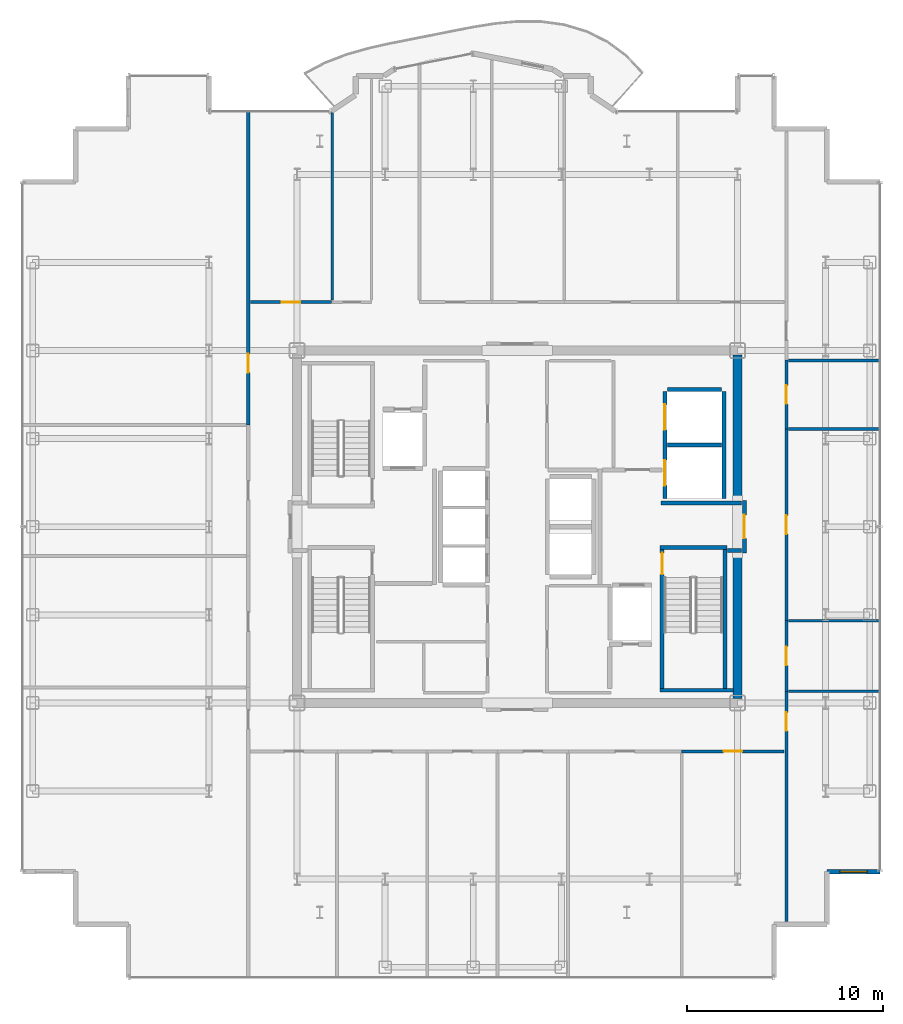
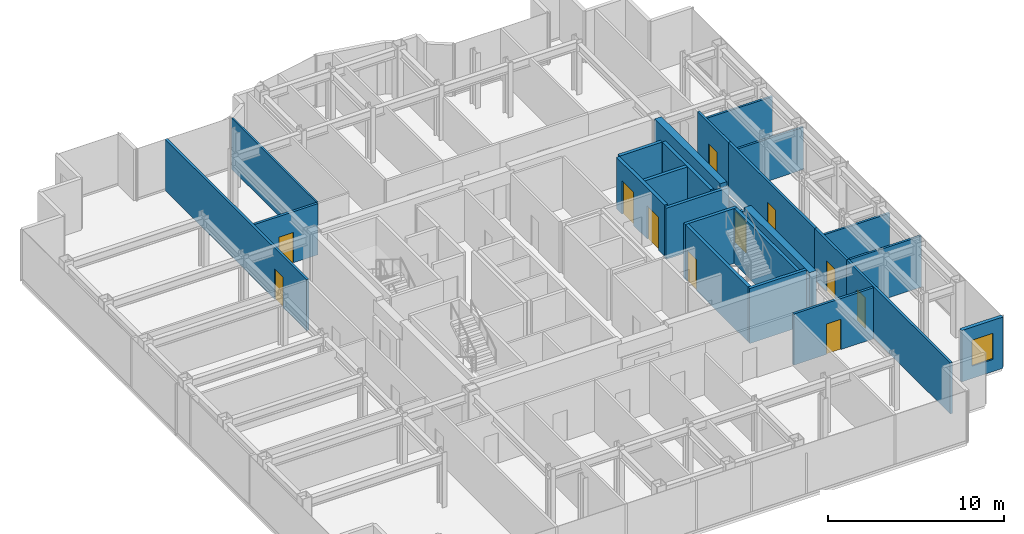
# One storey, part 15 of 18: 26 walls, 11 doors, 1 window, 12 openings.
"""IFC4 building model written with IfcOpenShell, lengths in metres."""

from ifc_helpers import new_model, si_unit, direction, frame, frame_2d, origin, place, context, subcontext, project, spatial, rectangle, extrude, source, transform, mapped, material, layer, layer_set, type_object, element, fill, save


model = new_model("IFC4")

# Units and contexts
model_context = context("Model", 3, precision=1e-05, world=origin(), true_north=direction((0.0, 1.0)))
body_context = subcontext(model_context, "Body", "Model", "MODEL_VIEW")
ifc_project = project(units=[si_unit("LENGTHUNIT", "METRE"), si_unit("AREAUNIT", "SQUARE_METRE"), si_unit("VOLUMEUNIT", "CUBIC_METRE"), si_unit("PLANEANGLEUNIT", "RADIAN"), si_unit("MASSUNIT", "GRAM", prefix="KILO")], contexts=[model_context])

# Site, building, storey
site_placement = place(None, origin())
site = spatial("IfcSite", under=ifc_project, at=site_placement, CompositionType="ELEMENT")
building_placement = place(site_placement, origin())
building = spatial("IfcBuilding", under=site, at=building_placement, Name="Nefas-Gora Pilgrimage Tower", CompositionType="ELEMENT")
storey_placement = place(building_placement, frame((0.0, 0.0, 272.199951171875)))
storey = spatial("IfcBuildingStorey", under=building, at=storey_placement, Name="L68", CompositionType="ELEMENT", Elevation=272.199951171875)

# Walls
ifc_material_1 = material(Name="Concrete C50/60", Category="concrete")
ifc_layer_1 = layer(ifc_material_1, 0.449951171875)
ifc_layer_set_1 = layer_set([ifc_layer_1], Name="Concrete C50/60")
wall_type_1 = type_object("IfcWallType", Name="SW-CORE-450", PredefinedType="SHEAR", material=ifc_layer_set_1)
shared_shape_1 = source(origin(), body_context, "Body", "SweptSolid", [
    extrude(rectangle(XDim=7.4248046875, YDim=0.449951171875, at=frame_2d((3.71240234375, 0.0))), origin(), (0.0, 0.0, 1.0), 3.800048828125),
])
for number, where, z_axis, x_axis, name in (
    (1, (11.25, -8.77490234375, 0.0), (0.0, 0.0, 1.0), (0.0, 1.0, 0.0), "L68 Core Shear Wall E-South"),
    (2, (11.25, 1.35009765625, 0.0), (0.0, 0.0, 1.0), (0.0, 1.0, 0.0), "L68 Core Shear Wall E-North"),
):
    element("IfcWall", number, at=place(storey_placement, frame(where, z_axis=z_axis, x_axis=x_axis)), inside=storey, type_object=wall_type_1, Name=name, PredefinedType="SHEAR", context=body_context, shape_type="MappedRepresentation", body=[
        mapped(shared_shape_1, transform((0.0, 0.0, 0.0), x_axis=(1.0, 0.0, 0.0), y_axis=(0.0, 1.0, 0.0), z_axis=(0.0, 0.0, 1.0), scale=1.0)),
    ])

# Wall, opening, window
ifc_material_2 = material(Name="Precast concrete C45/55", Category="concrete")
ifc_layer_2 = layer(ifc_material_2, 0.239990234375)
ifc_layer_set_2 = layer_set([ifc_layer_2], Name="Precast concrete C45/55")
wall_type_2 = type_object("IfcWallType", Name="EW-SERR-240", PredefinedType="SHEAR", material=ifc_layer_set_2)
shared_shape_2 = source(origin(), body_context, "Body", "SweptSolid", [
    extrude(rectangle(XDim=2.699951171875, YDim=0.239990234375, at=frame_2d((1.35009765625, 0.0))), origin(), (0.0, 0.0, 1.0), 3.550048828125),
])
wall_1_placement = place(storey_placement, frame((15.820068359375, -17.6201171875, 0.0), z_axis=(0.0, 0.0, 1.0), x_axis=(1.0, 0.0, 0.0)))
wall_1 = element("IfcWall", 3, at=wall_1_placement, inside=storey, type_object=wall_type_2, Name="L68 Serrated Corner Shear Pier Wall 1", PredefinedType="SHEAR", context=body_context, shape_type="MappedRepresentation", body=[
    mapped(shared_shape_2, transform((0.0, 0.0, 0.0), x_axis=(1.0, 0.0, 0.0), y_axis=(0.0, 1.0, 0.0), z_axis=(0.0, 0.0, 1.0), scale=1.0)),
])
opening_1_placement = place(wall_1_placement, frame((0.64990234375, 0.0, 0.85009765625)))
opening_1 = element("IfcOpeningElement", 4, at=opening_1_placement, cuts=wall_1, Name="Opening W-V2", PredefinedType="OPENING", context=body_context, shape_type="SweptSolid", body=[
    extrude(rectangle(XDim=1.39990234375, YDim=1.800048828125, at=frame_2d((0.699951171875, 0.89990234375))), frame((0.0, 0.1298828125, 0.0), z_axis=(0.0, -1.0, 0.0), x_axis=(1.0, 0.0, 0.0)), (0.0, 0.0, 1.0), 0.260009765625),
])
ifc_material_3 = material(Name="Dark ceramic-fritted operable aluminium-glass window", Category="aluminium")
window_type = type_object("IfcWindowType", Name="WIN-VENT-1400x1800", PartitioningType="SINGLE_PANEL", PredefinedType="WINDOW", material=ifc_material_3)
shared_shape_3 = source(origin(), body_context, "Body", "SweptSolid", [
    extrude(rectangle(XDim=1.39990234375, YDim=1.800048828125, at=frame_2d((0.699951171875, 0.89990234375))), frame((0.0, 0.030029296875, 0.0), z_axis=(0.0, -1.0, 0.0), x_axis=(1.0, 0.0, 0.0)), (0.0, 0.0, 1.0), 0.06005859375),
])
window_placement = place(opening_1_placement, origin())
window = element("IfcWindow", 5, at=window_placement, inside=storey, type_object=window_type, Name="L68 Operable Parallel-Outswing Window 1", OverallHeight=1.800048828125, OverallWidth=1.39990234375, PartitioningType="SINGLE_PANEL", PredefinedType="WINDOW", context=body_context, shape_type="MappedRepresentation", body=[
    mapped(shared_shape_3, transform((0.0, 0.0, 0.0), x_axis=(1.0, 0.0, 0.0), y_axis=(0.0, 1.0, 0.0), z_axis=(0.0, 0.0, 1.0), scale=1.0)),
])
fill(opening_1, window)

# Wall
ifc_material_4 = material(Name="Concrete C45/55", Category="concrete")
ifc_layer_3 = layer(ifc_material_4, 0.199951171875)
ifc_layer_set_3 = layer_set([ifc_layer_3], Name="Concrete C45/55")
wall_type_3 = type_object("IfcWallType", Name="IW-STAIR-200", PredefinedType="SOLIDWALL", material=ifc_layer_set_3)
shared_shape_4 = source(origin(), body_context, "Body", "SweptSolid", [
    extrude(rectangle(XDim=3.39990234375, YDim=0.199951171875, at=frame_2d((1.699951171875, 0.0))), origin(), (0.0, 0.0, 1.0), 3.800048828125),
])
wall_2_placement = place(storey_placement, frame((7.300048828125, -1.050048828125, 0.0), z_axis=(0.0, 0.0, 1.0), x_axis=(1.0, 0.0, 0.0)))
element("IfcWall", 6, at=wall_2_placement, inside=storey, type_object=wall_type_3, Name="L68 Stairwell Shear Wall ST-02-near", PredefinedType="SOLIDWALL", context=body_context, shape_type="MappedRepresentation", body=[
    mapped(shared_shape_4, transform((0.0, 0.0, 0.0), x_axis=(1.0, 0.0, 0.0), y_axis=(0.0, 1.0, 0.0), z_axis=(0.0, 0.0, 1.0), scale=1.0)),
])

# Wall, opening, door
shared_shape_5 = source(origin(), body_context, "Body", "SweptSolid", [
    extrude(rectangle(XDim=7.10009765625, YDim=0.199951171875, at=frame_2d((3.550048828125, 0.0))), origin(), (0.0, 0.0, 1.0), 3.800048828125),
])
wall_3_placement = place(storey_placement, frame((7.39990234375, -1.14990234375, 0.0), z_axis=(0.0, 0.0, 1.0), x_axis=(0.0, -1.0, 0.0)))
wall_3 = element("IfcWall", 7, at=wall_3_placement, inside=storey, type_object=wall_type_3, Name="L68 Stairwell Shear Wall ST-02-left", PredefinedType="SOLIDWALL", context=body_context, shape_type="MappedRepresentation", body=[
    mapped(shared_shape_5, transform((0.0, 0.0, 0.0), x_axis=(1.0, 0.0, 0.0), y_axis=(0.0, 1.0, 0.0), z_axis=(0.0, 0.0, 1.0), scale=1.0)),
])
opening_2_placement = place(wall_3_placement, frame((0.179931640625, 0.0, 0.0)))
opening_2 = element("IfcOpeningElement", 8, at=opening_2_placement, cuts=wall_3, Name="Opening ID-ST1", PredefinedType="OPENING", context=body_context, shape_type="SweptSolid", body=[
    extrude(rectangle(XDim=1.10009765625, YDim=2.14990234375, at=frame_2d((0.550048828125, 1.074951171875))), frame((0.0, 0.10986328125, 0.0), z_axis=(0.0, -1.0, 0.0), x_axis=(1.0, 0.0, 0.0)), (0.0, 0.0, 1.0), 0.219970703125),
])
ifc_material_5 = material(Name="Painted galvanised steel fire stair door", Category="steel")
door_type_1 = type_object("IfcDoorType", Name="DR-INT-STAIR-1100", OperationType="NOTDEFINED", PredefinedType="DOOR", material=ifc_material_5)
shared_shape_6 = source(origin(), body_context, "Body", "SweptSolid", [
    extrude(rectangle(XDim=1.10009765625, YDim=2.14990234375, at=frame_2d((0.550048828125, 1.074951171875))), frame((0.0, 0.02490234375, 0.0), z_axis=(0.0, -1.0, 0.0), x_axis=(1.0, 0.0, 0.0)), (0.0, 0.0, 1.0), 0.050048828125),
])
door_1_placement = place(opening_2_placement, origin())
door_1 = element("IfcDoor", 9, at=door_1_placement, inside=storey, type_object=door_type_1, Name="L68 Protected Exit Stair Door ST-02", OperationType="SINGLE_SWING_LEFT", OverallHeight=2.14990234375, OverallWidth=1.10009765625, PredefinedType="DOOR", context=body_context, shape_type="MappedRepresentation", body=[
    mapped(shared_shape_6, transform((0.0, 0.0, 0.0), x_axis=(1.0, 0.0, 0.0), y_axis=(0.0, 1.0, 0.0), z_axis=(0.0, 0.0, 1.0), scale=1.0)),
])
fill(opening_2, door_1)

# Walls
wall_4_placement = place(storey_placement, frame((10.60009765625, -1.14990234375, 0.0), z_axis=(0.0, 0.0, 1.0), x_axis=(0.0, -1.0, 0.0)))
element("IfcWall", 10, at=wall_4_placement, inside=storey, type_object=wall_type_3, Name="L68 Stairwell Shear Wall ST-02-right", PredefinedType="SOLIDWALL", context=body_context, shape_type="MappedRepresentation", body=[
    mapped(shared_shape_5, transform((0.0, 0.0, 0.0), x_axis=(1.0, 0.0, 0.0), y_axis=(0.0, 1.0, 0.0), z_axis=(0.0, 0.0, 1.0), scale=1.0)),
])
shared_shape_7 = source(origin(), body_context, "Body", "SweptSolid", [
    extrude(rectangle(XDim=3.72998046875, YDim=0.199951171875, at=frame_2d((1.864990234375, 0.0))), origin(), (0.0, 0.0, 1.0), 3.800048828125),
])
wall_5_placement = place(storey_placement, frame((7.300048828125, -8.35009765625, 0.0), z_axis=(0.0, 0.0, 1.0), x_axis=(1.0, 0.0, 0.0)))
element("IfcWall", 11, at=wall_5_placement, inside=storey, type_object=wall_type_3, Name="L68 Stairwell Shear Wall ST-02-far", PredefinedType="SOLIDWALL", context=body_context, shape_type="MappedRepresentation", body=[
    mapped(shared_shape_7, transform((0.0, 0.0, 0.0), x_axis=(1.0, 0.0, 0.0), y_axis=(0.0, 1.0, 0.0), z_axis=(0.0, 0.0, 1.0), scale=1.0)),
])

# Wall, openings, doors
ifc_material_6 = material(Name="Concrete C40/50", Category="concrete")
ifc_layer_4 = layer(ifc_material_6, 0.219970703125)
ifc_layer_set_4 = layer_set([ifc_layer_4], Name="Concrete C40/50")
wall_type_4 = type_object("IfcWallType", Name="IW-SHAFT-220", PredefinedType="SOLIDWALL", material=ifc_layer_set_4)
shared_shape_8 = source(origin(), body_context, "Body", "SweptSolid", [
    extrude(rectangle(XDim=5.449951171875, YDim=0.219970703125, at=frame_2d((2.72509765625, 0.0))), origin(), (0.0, 0.0, 1.0), 3.53515625),
])
wall_6_placement = place(storey_placement, frame((7.5400390625, 6.89990234375, 0.0), z_axis=(0.0, 0.0, 1.0), x_axis=(0.0, -1.0, 0.0)))
wall_6 = element("IfcWall", 12, at=wall_6_placement, inside=storey, type_object=wall_type_4, Name="L68 Hoistway Wall SL-01-02-W", PredefinedType="SOLIDWALL", context=body_context, shape_type="MappedRepresentation", body=[
    mapped(shared_shape_8, transform((0.0, 0.0, 0.0), x_axis=(1.0, 0.0, 0.0), y_axis=(0.0, 1.0, 0.0), z_axis=(0.0, 0.0, 1.0), scale=1.0)),
])
opening_3_placement = place(wall_6_placement, frame((3.5, 0.0, 0.0)))
opening_3 = element("IfcOpeningElement", 13, at=opening_3_placement, cuts=wall_6, Name="Opening LD-SV", PredefinedType="OPENING", context=body_context, shape_type="SweptSolid", body=[
    extrude(rectangle(XDim=1.300048828125, YDim=2.300048828125, at=frame_2d((0.64990234375, 1.14990234375))), frame((0.0, 0.119873046875, 0.0), z_axis=(0.0, -1.0, 0.0), x_axis=(1.0, 0.0, 0.0)), (0.0, 0.0, 1.0), 0.239990234375),
])
opening_4_placement = place(wall_6_placement, frame((0.64990234375, 0.0, 0.0)))
opening_4 = element("IfcOpeningElement", 14, at=opening_4_placement, cuts=wall_6, Name="Opening LD-SV", PredefinedType="OPENING", context=body_context, shape_type="SweptSolid", body=[
    extrude(rectangle(XDim=1.300048828125, YDim=2.300048828125, at=frame_2d((0.64990234375, 1.14990234375))), frame((0.0, 0.119873046875, 0.0), z_axis=(0.0, -1.0, 0.0), x_axis=(1.0, 0.0, 0.0)), (0.0, 0.0, 1.0), 0.239990234375),
])
ifc_material_7 = material(Name="Heavy goods sliding lift landing door")
door_type_2 = type_object("IfcDoorType", Name="DR-LIFT-SERV-1300", OperationType="SLIDING_TO_RIGHT", PredefinedType="DOOR", material=ifc_material_7)
shared_shape_9 = source(origin(), body_context, "Body", "SweptSolid", [
    extrude(rectangle(XDim=1.300048828125, YDim=2.300048828125, at=frame_2d((0.64990234375, 1.14990234375))), frame((0.0, 0.02490234375, 0.0), z_axis=(0.0, -1.0, 0.0), x_axis=(1.0, 0.0, 0.0)), (0.0, 0.0, 1.0), 0.050048828125),
])
door_2_placement = place(opening_3_placement, origin())
door_2 = element("IfcDoor", 15, at=door_2_placement, inside=storey, type_object=door_type_2, Name="L68 Sliding Lift Landing Door SL-01", OperationType="SLIDING_TO_RIGHT", OverallHeight=2.300048828125, OverallWidth=1.300048828125, PredefinedType="DOOR", context=body_context, shape_type="MappedRepresentation", body=[
    mapped(shared_shape_9, transform((0.0, 0.0, 0.0), x_axis=(1.0, 0.0, 0.0), y_axis=(0.0, 1.0, 0.0), z_axis=(0.0, 0.0, 1.0), scale=1.0)),
])
fill(opening_3, door_2)
door_3_placement = place(opening_4_placement, origin())
door_3 = element("IfcDoor", 16, at=door_3_placement, inside=storey, type_object=door_type_2, Name="L68 Sliding Lift Landing Door SL-02", OperationType="SLIDING_TO_RIGHT", OverallHeight=2.300048828125, OverallWidth=1.300048828125, PredefinedType="DOOR", context=body_context, shape_type="MappedRepresentation", body=[
    mapped(shared_shape_9, transform((0.0, 0.0, 0.0), x_axis=(1.0, 0.0, 0.0), y_axis=(0.0, 1.0, 0.0), z_axis=(0.0, 0.0, 1.0), scale=1.0)),
])
fill(opening_4, door_3)

# Walls
wall_7_placement = place(storey_placement, frame((10.56005859375, 1.449951171875, 0.0), z_axis=(0.0, 0.0, 1.0), x_axis=(0.0, 1.0, 0.0)))
element("IfcWall", 17, at=wall_7_placement, inside=storey, type_object=wall_type_4, Name="L68 Hoistway Wall SL-01-02-E", PredefinedType="SOLIDWALL", context=body_context, shape_type="MappedRepresentation", body=[
    mapped(shared_shape_8, transform((0.0, 0.0, 0.0), x_axis=(1.0, 0.0, 0.0), y_axis=(0.0, 1.0, 0.0), z_axis=(0.0, 0.0, 1.0), scale=1.0)),
])
shared_shape_10 = source(origin(), body_context, "Body", "SweptSolid", [
    extrude(rectangle(XDim=2.780029296875, YDim=0.219970703125, at=frame_2d((1.39013671875, 0.0))), origin(), (0.0, 0.0, 1.0), 3.53515625),
])
for number, where, z_axis, x_axis, name in (
    (18, (7.659912109375, 4.175048828125, 0.0), (0.0, 0.0, 1.0), (1.0, 0.0, 0.0), "L68 Hoistway Wall SL-01-02-DIV"),
    (19, (10.43994140625, 7.010009765625, 0.0), (0.0, 0.0, 1.0), (-1.0, 0.0, 0.0), "L68 Hoistway Wall SL-02-N"),
):
    element("IfcWall", number, at=place(storey_placement, frame(where, z_axis=z_axis, x_axis=x_axis)), inside=storey, type_object=wall_type_4, Name=name, PredefinedType="SOLIDWALL", context=body_context, shape_type="MappedRepresentation", body=[
        mapped(shared_shape_10, transform((0.0, 0.0, 0.0), x_axis=(1.0, 0.0, 0.0), y_axis=(0.0, 1.0, 0.0), z_axis=(0.0, 0.0, 1.0), scale=1.0)),
    ])
ifc_material_8 = material(Name="Gypsum fire-rated shaftwall")
ifc_layer_5 = layer(ifc_material_8, 0.199951171875)
ifc_layer_set_5 = layer_set([ifc_layer_5], Name="Gypsum fire-rated shaftwall")
wall_type_5 = type_object("IfcWallType", Name="IW-FFLOB-200", PredefinedType="PARTITIONING", material=ifc_layer_set_5)
shared_shape_11 = source(origin(), body_context, "Body", "SweptSolid", [
    extrude(rectangle(XDim=0.719970703125, YDim=0.199951171875, at=frame_2d((0.35986328125, 0.0))), origin(), (0.0, 0.0, 1.0), 3.53515625),
])
wall_8_placement = place(storey_placement, frame((10.739990234375, -1.219970703125, 0.0), z_axis=(0.0, 0.0, 1.0), x_axis=(1.0, 0.0, 0.0)))
element("IfcWall", 20, at=wall_8_placement, inside=storey, type_object=wall_type_5, Name="L68 FF Lobby East Throat S Wall 15", PredefinedType="PARTITIONING", context=body_context, shape_type="MappedRepresentation", body=[
    mapped(shared_shape_11, transform((0.0, 0.0, 0.0), x_axis=(1.0, 0.0, 0.0), y_axis=(0.0, 1.0, 0.0), z_axis=(0.0, 0.0, 1.0), scale=1.0)),
])
shared_shape_12 = source(origin(), body_context, "Body", "SweptSolid", [
    extrude(rectangle(XDim=4.10986328125, YDim=0.199951171875, at=frame_2d((2.054931640625, 0.0))), origin(), (0.0, 0.0, 1.0), 3.53515625),
])
wall_9_placement = place(storey_placement, frame((7.35009765625, 1.219970703125, 0.0), z_axis=(0.0, 0.0, 1.0), x_axis=(1.0, 0.0, 0.0)))
element("IfcWall", 21, at=wall_9_placement, inside=storey, type_object=wall_type_5, Name="L68 FF Lobby East Throat N Wall 14", PredefinedType="PARTITIONING", context=body_context, shape_type="MappedRepresentation", body=[
    mapped(shared_shape_12, transform((0.0, 0.0, 0.0), x_axis=(1.0, 0.0, 0.0), y_axis=(0.0, 1.0, 0.0), z_axis=(0.0, 0.0, 1.0), scale=1.0)),
])
ifc_material_9 = material(Name="Moisture-resistant fire-rated gypsum partition")
ifc_layer_6 = layer(ifc_material_9, 0.1201171875)
ifc_layer_set_6 = layer_set([ifc_layer_6], Name="Moisture-resistant fire-rated gypsum partition")
wall_type_6 = type_object("IfcWallType", Name="IW-WET-120", PredefinedType="PLUMBINGWALL", material=ifc_layer_set_6)
shared_shape_13 = source(origin(), body_context, "Body", "SweptSolid", [
    extrude(rectangle(XDim=9.586669921875, YDim=0.1201171875, at=frame_2d((4.79345703125, 0.0))), origin(), (0.0, 0.0, 1.0), 3.53515625),
])
wall_10_placement = place(storey_placement, frame((-9.449951171875, 11.570068359375, 0.0), z_axis=(0.0, 0.0, 1.0), x_axis=(0.0, 1.0, 0.0)))
element("IfcWall", 22, at=wall_10_placement, inside=storey, type_object=wall_type_6, Name="L68 Accessible Unisex WC Partition Wall 32", PredefinedType="PLUMBINGWALL", context=body_context, shape_type="MappedRepresentation", body=[
    mapped(shared_shape_13, transform((0.0, 0.0, 0.0), x_axis=(1.0, 0.0, 0.0), y_axis=(0.0, 1.0, 0.0), z_axis=(0.0, 0.0, 1.0), scale=1.0)),
])

# Wall, opening, door
ifc_material_10 = material(Name="Gypsum acoustic stud partition")
ifc_layer_7 = layer(ifc_material_10, 0.159912109375)
ifc_layer_set_7 = layer_set([ifc_layer_7], Name="Gypsum acoustic stud partition")
wall_type_7 = type_object("IfcWallType", Name="IW-CORR-160", PredefinedType="PARTITIONING", material=ifc_layer_set_7)
shared_shape_14 = source(origin(), body_context, "Body", "SweptSolid", [
    extrude(rectangle(XDim=3.610107421875, YDim=0.159912109375, at=frame_2d((1.80517578125, 0.0))), origin(), (0.0, 0.0, 1.0), 3.53515625),
])
wall_11_placement = place(storey_placement, frame((13.739990234375, -8.405029296875, 0.0), z_axis=(0.0, 0.0, 1.0), x_axis=(0.0, 1.0, 0.0)))
wall_11 = element("IfcWall", 23, at=wall_11_placement, inside=storey, type_object=wall_type_7, Name="L68 Pastoral Chaplains Counselling Office Partition Wall 42", PredefinedType="PARTITIONING", context=body_context, shape_type="MappedRepresentation", body=[
    mapped(shared_shape_14, transform((0.0, 0.0, 0.0), x_axis=(1.0, 0.0, 0.0), y_axis=(0.0, 1.0, 0.0), z_axis=(0.0, 0.0, 1.0), scale=1.0)),
])
opening_5_placement = place(wall_11_placement, frame((1.330078125, 0.0, 0.0)))
opening_5 = element("IfcOpeningElement", 24, at=opening_5_placement, cuts=wall_11, Name="Opening ID-GR1", PredefinedType="OPENING", context=body_context, shape_type="SweptSolid", body=[
    extrude(rectangle(XDim=0.949951171875, YDim=2.10009765625, at=frame_2d((0.47509765625, 1.050048828125))), frame((0.0, 0.08984375, 0.0), z_axis=(0.0, -1.0, 0.0), x_axis=(1.0, 0.0, 0.0)), (0.0, 0.0, 1.0), 0.179931640625),
])
ifc_material_11 = material(Name="Solid core oak fire-rated guest entrance door")
door_type_3 = type_object("IfcDoorType", Name="DR-INT-GUEST-950", OperationType="NOTDEFINED", PredefinedType="DOOR", material=ifc_material_11)
shared_shape_15 = source(origin(), body_context, "Body", "SweptSolid", [
    extrude(rectangle(XDim=0.949951171875, YDim=2.10009765625, at=frame_2d((0.47509765625, 1.050048828125))), frame((0.0, 0.02490234375, 0.0), z_axis=(0.0, -1.0, 0.0), x_axis=(1.0, 0.0, 0.0)), (0.0, 0.0, 1.0), 0.050048828125),
])
door_4_placement = place(opening_5_placement, origin())
door_4 = element("IfcDoor", 25, at=door_4_placement, inside=storey, type_object=door_type_3, Name="L68 Pastoral Chaplains Counselling Office Door 19", OperationType="SINGLE_SWING_RIGHT", OverallHeight=2.10009765625, OverallWidth=0.949951171875, PredefinedType="DOOR", context=body_context, shape_type="MappedRepresentation", body=[
    mapped(shared_shape_15, transform((0.0, 0.0, 0.0), x_axis=(1.0, 0.0, 0.0), y_axis=(0.0, 1.0, 0.0), z_axis=(0.0, 0.0, 1.0), scale=1.0)),
])
fill(opening_5, door_4)

shared_shape_16 = source(origin(), body_context, "Body", "SweptSolid", [
    extrude(rectangle(XDim=4.125, YDim=0.159912109375, at=frame_2d((2.0625, 0.0))), origin(), (0.0, 0.0, 1.0), 3.53515625),
])
wall_12_placement = place(storey_placement, frame((-13.6201171875, 11.469970703125, 0.0), z_axis=(0.0, 0.0, 1.0), x_axis=(1.0, 0.0, 0.0)))
wall_12 = element("IfcWall", 26, at=wall_12_placement, inside=storey, type_object=wall_type_7, Name="L68 Pilgrim Contemplative Lounge Partition Wall 49", PredefinedType="PARTITIONING", context=body_context, shape_type="MappedRepresentation", body=[
    mapped(shared_shape_16, transform((0.0, 0.0, 0.0), x_axis=(1.0, 0.0, 0.0), y_axis=(0.0, 1.0, 0.0), z_axis=(0.0, 0.0, 1.0), scale=1.0)),
])
opening_6_placement = place(wall_12_placement, frame((1.58740234375, 0.0, 0.0)))
opening_6 = element("IfcOpeningElement", 27, at=opening_6_placement, cuts=wall_12, Name="Opening ID-GR1", PredefinedType="OPENING", context=body_context, shape_type="SweptSolid", body=[
    extrude(rectangle(XDim=0.949951171875, YDim=2.10009765625, at=frame_2d((0.47509765625, 1.050048828125))), frame((0.0, 0.08984375, 0.0), z_axis=(0.0, -1.0, 0.0), x_axis=(1.0, 0.0, 0.0)), (0.0, 0.0, 1.0), 0.179931640625),
])
door_5_placement = place(opening_6_placement, origin())
door_5 = element("IfcDoor", 28, at=door_5_placement, inside=storey, type_object=door_type_3, Name="L68 Pilgrim Contemplative Lounge Door 23", OperationType="SINGLE_SWING_RIGHT", OverallHeight=2.10009765625, OverallWidth=0.949951171875, PredefinedType="DOOR", context=body_context, shape_type="MappedRepresentation", body=[
    mapped(shared_shape_15, transform((0.0, 0.0, 0.0), x_axis=(1.0, 0.0, 0.0), y_axis=(0.0, 1.0, 0.0), z_axis=(0.0, 0.0, 1.0), scale=1.0)),
])
fill(opening_6, door_5)

shared_shape_17 = source(origin(), body_context, "Body", "SweptSolid", [
    extrude(rectangle(XDim=5.22509765625, YDim=0.159912109375, at=frame_2d((2.612548828125, 0.0))), origin(), (0.0, 0.0, 1.0), 3.53515625),
])
wall_13_placement = place(storey_placement, frame((8.39501953125, -11.469970703125, 0.0), z_axis=(0.0, 0.0, 1.0), x_axis=(1.0, 0.0, 0.0)))
wall_13 = element("IfcWall", 29, at=wall_13_placement, inside=storey, type_object=wall_type_7, Name="L68 Pilgrim Contemplative Lounge Partition Wall 68", PredefinedType="PARTITIONING", context=body_context, shape_type="MappedRepresentation", body=[
    mapped(shared_shape_17, transform((0.0, 0.0, 0.0), x_axis=(1.0, 0.0, 0.0), y_axis=(0.0, 1.0, 0.0), z_axis=(0.0, 0.0, 1.0), scale=1.0)),
])
opening_7_placement = place(wall_13_placement, frame((2.137451171875, 0.0, 0.0)))
opening_7 = element("IfcOpeningElement", 30, at=opening_7_placement, cuts=wall_13, Name="Opening ID-GR1", PredefinedType="OPENING", context=body_context, shape_type="SweptSolid", body=[
    extrude(rectangle(XDim=0.949951171875, YDim=2.10009765625, at=frame_2d((0.47509765625, 1.050048828125))), frame((0.0, 0.08984375, 0.0), z_axis=(0.0, -1.0, 0.0), x_axis=(1.0, 0.0, 0.0)), (0.0, 0.0, 1.0), 0.179931640625),
])
door_6_placement = place(opening_7_placement, origin())
door_6 = element("IfcDoor", 31, at=door_6_placement, inside=storey, type_object=door_type_3, Name="L68 Pilgrim Contemplative Lounge Door 33", OperationType="SINGLE_SWING_RIGHT", OverallHeight=2.10009765625, OverallWidth=0.949951171875, PredefinedType="DOOR", context=body_context, shape_type="MappedRepresentation", body=[
    mapped(shared_shape_15, transform((0.0, 0.0, 0.0), x_axis=(1.0, 0.0, 0.0), y_axis=(0.0, 1.0, 0.0), z_axis=(0.0, 0.0, 1.0), scale=1.0)),
])
fill(opening_7, door_6)

shared_shape_18 = source(origin(), body_context, "Body", "SweptSolid", [
    extrude(rectangle(XDim=16.044921875, YDim=0.159912109375, at=frame_2d((8.0224609375, 0.0))), origin(), (0.0, 0.0, 1.0), 3.53515625),
])
wall_14_placement = place(storey_placement, frame((-13.739990234375, 5.195068359375, 0.0), z_axis=(0.0, 0.0, 1.0), x_axis=(0.0, 1.0, 0.0)))
wall_14 = element("IfcWall", 32, at=wall_14_placement, inside=storey, type_object=wall_type_7, Name="L68 Pilgrim Contemplative Lounge Partition Wall 39", PredefinedType="PARTITIONING", context=body_context, shape_type="MappedRepresentation", body=[
    mapped(shared_shape_18, transform((0.0, 0.0, 0.0), x_axis=(1.0, 0.0, 0.0), y_axis=(0.0, 1.0, 0.0), z_axis=(0.0, 0.0, 1.0), scale=1.0)),
])
opening_8_placement = place(wall_14_placement, frame((2.6826171875, 0.0, 0.0)))
opening_8 = element("IfcOpeningElement", 33, at=opening_8_placement, cuts=wall_14, Name="Opening ID-GR1", PredefinedType="OPENING", context=body_context, shape_type="SweptSolid", body=[
    extrude(rectangle(XDim=0.949951171875, YDim=2.10009765625, at=frame_2d((0.47509765625, 1.050048828125))), frame((0.0, 0.08984375, 0.0), z_axis=(0.0, -1.0, 0.0), x_axis=(1.0, 0.0, 0.0)), (0.0, 0.0, 1.0), 0.179931640625),
])
door_7_placement = place(opening_8_placement, origin())
door_7 = element("IfcDoor", 34, at=door_7_placement, inside=storey, type_object=door_type_3, Name="L68 Pilgrim Contemplative Lounge Door 17", OperationType="SINGLE_SWING_RIGHT", OverallHeight=2.10009765625, OverallWidth=0.949951171875, PredefinedType="DOOR", context=body_context, shape_type="MappedRepresentation", body=[
    mapped(shared_shape_15, transform((0.0, 0.0, 0.0), x_axis=(1.0, 0.0, 0.0), y_axis=(0.0, 1.0, 0.0), z_axis=(0.0, 0.0, 1.0), scale=1.0)),
])
fill(opening_8, door_7)

shared_shape_19 = source(origin(), body_context, "Body", "SweptSolid", [
    extrude(rectangle(XDim=9.809814453125, YDim=0.159912109375, at=frame_2d((4.90478515625, 0.0))), origin(), (0.0, 0.0, 1.0), 3.53515625),
])
wall_15_placement = place(storey_placement, frame((13.739990234375, -4.804931640625, 0.0), z_axis=(0.0, 0.0, 1.0), x_axis=(0.0, 1.0, 0.0)))
wall_15 = element("IfcWall", 35, at=wall_15_placement, inside=storey, type_object=wall_type_7, Name="L68 Pilgrim Contemplative Lounge Partition Wall 44", PredefinedType="PARTITIONING", context=body_context, shape_type="MappedRepresentation", body=[
    mapped(shared_shape_19, transform((0.0, 0.0, 0.0), x_axis=(1.0, 0.0, 0.0), y_axis=(0.0, 1.0, 0.0), z_axis=(0.0, 0.0, 1.0), scale=1.0)),
])
opening_9_placement = place(wall_15_placement, frame((4.429931640625, 0.0, 0.0)))
opening_9 = element("IfcOpeningElement", 36, at=opening_9_placement, cuts=wall_15, Name="Opening ID-GR1", PredefinedType="OPENING", context=body_context, shape_type="SweptSolid", body=[
    extrude(rectangle(XDim=0.949951171875, YDim=2.10009765625, at=frame_2d((0.47509765625, 1.050048828125))), frame((0.0, 0.08984375, 0.0), z_axis=(0.0, -1.0, 0.0), x_axis=(1.0, 0.0, 0.0)), (0.0, 0.0, 1.0), 0.179931640625),
])
door_8_placement = place(opening_9_placement, origin())
door_8 = element("IfcDoor", 37, at=door_8_placement, inside=storey, type_object=door_type_3, Name="L68 Pilgrim Contemplative Lounge Door 20", OperationType="SINGLE_SWING_LEFT", OverallHeight=2.10009765625, OverallWidth=0.949951171875, PredefinedType="DOOR", context=body_context, shape_type="MappedRepresentation", body=[
    mapped(shared_shape_15, transform((0.0, 0.0, 0.0), x_axis=(1.0, 0.0, 0.0), y_axis=(0.0, 1.0, 0.0), z_axis=(0.0, 0.0, 1.0), scale=1.0)),
])
fill(opening_9, door_8)

shared_shape_20 = source(origin(), body_context, "Body", "SweptSolid", [
    extrude(rectangle(XDim=3.509765625, YDim=0.159912109375, at=frame_2d((1.7548828125, 0.0))), origin(), (0.0, 0.0, 1.0), 3.53515625),
])
wall_16_placement = place(storey_placement, frame((13.739990234375, 4.9951171875, 0.0), z_axis=(0.0, 0.0, 1.0), x_axis=(0.0, 1.0, 0.0)))
wall_16 = element("IfcWall", 38, at=wall_16_placement, inside=storey, type_object=wall_type_7, Name="L68 Scripture Reading Study Partition Wall 46", PredefinedType="PARTITIONING", context=body_context, shape_type="MappedRepresentation", body=[
    mapped(shared_shape_20, transform((0.0, 0.0, 0.0), x_axis=(1.0, 0.0, 0.0), y_axis=(0.0, 1.0, 0.0), z_axis=(0.0, 0.0, 1.0), scale=1.0)),
])
opening_10_placement = place(wall_16_placement, frame((1.280029296875, 0.0, 0.0)))
opening_10 = element("IfcOpeningElement", 39, at=opening_10_placement, cuts=wall_16, Name="Opening ID-GR1", PredefinedType="OPENING", context=body_context, shape_type="SweptSolid", body=[
    extrude(rectangle(XDim=0.949951171875, YDim=2.10009765625, at=frame_2d((0.47509765625, 1.050048828125))), frame((0.0, 0.08984375, 0.0), z_axis=(0.0, -1.0, 0.0), x_axis=(1.0, 0.0, 0.0)), (0.0, 0.0, 1.0), 0.179931640625),
])
door_9_placement = place(opening_10_placement, origin())
door_9 = element("IfcDoor", 40, at=door_9_placement, inside=storey, type_object=door_type_3, Name="L68 Scripture Reading Study Door 21", OperationType="SINGLE_SWING_RIGHT", OverallHeight=2.10009765625, OverallWidth=0.949951171875, PredefinedType="DOOR", context=body_context, shape_type="MappedRepresentation", body=[
    mapped(shared_shape_15, transform((0.0, 0.0, 0.0), x_axis=(1.0, 0.0, 0.0), y_axis=(0.0, 1.0, 0.0), z_axis=(0.0, 0.0, 1.0), scale=1.0)),
])
fill(opening_10, door_9)

shared_shape_21 = source(origin(), body_context, "Body", "SweptSolid", [
    extrude(rectangle(XDim=2.7001953125, YDim=0.199951171875, at=frame_2d((1.35009765625, 0.0))), origin(), (0.0, 0.0, 1.0), 2.625),
])
wall_17_placement = place(storey_placement, frame((11.60009765625, -1.35009765625, 0.0), z_axis=(0.0, 0.0, 1.0), x_axis=(0.0, 1.0, 0.0)))
wall_17 = element("IfcWall", 41, at=wall_17_placement, inside=storey, type_object=wall_type_5, Name="L68 FF Lobby East Portal Wall 10", PredefinedType="PARTITIONING", context=body_context, shape_type="MappedRepresentation", body=[
    mapped(shared_shape_21, transform((0.0, 0.0, 0.0), x_axis=(1.0, 0.0, 0.0), y_axis=(0.0, 1.0, 0.0), z_axis=(0.0, 0.0, 1.0), scale=1.0)),
])
opening_11_placement = place(wall_17_placement, frame((0.75, 0.0, 0.0)))
opening_11 = element("IfcOpeningElement", 42, at=opening_11_placement, cuts=wall_17, Name="Opening ID-FF1", PredefinedType="OPENING", context=body_context, shape_type="SweptSolid", body=[
    extrude(rectangle(XDim=1.199951171875, YDim=2.14990234375, at=frame_2d((0.60009765625, 1.074951171875))), frame((0.0, 0.10986328125, 0.0), z_axis=(0.0, -1.0, 0.0), x_axis=(1.0, 0.0, 0.0)), (0.0, 0.0, 1.0), 0.219970703125),
])
ifc_material_12 = material(Name="Smoke-sealed steel firefighting lobby door", Category="steel")
door_type_4 = type_object("IfcDoorType", Name="DR-INT-FFLOB-1200", OperationType="NOTDEFINED", PredefinedType="DOOR", material=ifc_material_12)
shared_shape_22 = source(origin(), body_context, "Body", "SweptSolid", [
    extrude(rectangle(XDim=1.199951171875, YDim=2.14990234375, at=frame_2d((0.60009765625, 1.074951171875))), frame((0.0, 0.02490234375, 0.0), z_axis=(0.0, -1.0, 0.0), x_axis=(1.0, 0.0, 0.0)), (0.0, 0.0, 1.0), 0.050048828125),
])
door_10_placement = place(opening_11_placement, origin())
door_10 = element("IfcDoor", 43, at=door_10_placement, inside=storey, type_object=door_type_4, Name="L68 FF Lobby East Portal Door 4", OperationType="SINGLE_SWING_LEFT", OverallHeight=2.14990234375, OverallWidth=1.199951171875, PredefinedType="DOOR", context=body_context, shape_type="MappedRepresentation", body=[
    mapped(shared_shape_22, transform((0.0, 0.0, 0.0), x_axis=(1.0, 0.0, 0.0), y_axis=(0.0, 1.0, 0.0), z_axis=(0.0, 0.0, 1.0), scale=1.0)),
])
fill(opening_11, door_10)

shared_shape_23 = source(origin(), body_context, "Body", "SweptSolid", [
    extrude(rectangle(XDim=11.764892578125, YDim=0.159912109375, at=frame_2d((5.88232421875, 0.0))), origin(), (0.0, 0.0, 1.0), 3.53515625),
])
wall_18_placement = place(storey_placement, frame((13.739990234375, -20.159912109375, 0.0), z_axis=(0.0, 0.0, 1.0), x_axis=(0.0, 1.0, 0.0)))
wall_18 = element("IfcWall", 44, at=wall_18_placement, inside=storey, type_object=wall_type_7, Name="L68 Pilgrim Contemplative Lounge Partition Wall 40", PredefinedType="PARTITIONING", context=body_context, shape_type="MappedRepresentation", body=[
    mapped(shared_shape_23, transform((0.0, 0.0, 0.0), x_axis=(1.0, 0.0, 0.0), y_axis=(0.0, 1.0, 0.0), z_axis=(0.0, 0.0, 1.0), scale=1.0)),
])
opening_12_placement = place(wall_18_placement, frame((9.732421875, 0.0, 0.0)))
opening_12 = element("IfcOpeningElement", 45, at=opening_12_placement, cuts=wall_18, Name="Opening ID-GR1", PredefinedType="OPENING", context=body_context, shape_type="SweptSolid", body=[
    extrude(rectangle(XDim=0.949951171875, YDim=2.10009765625, at=frame_2d((0.47509765625, 1.050048828125))), frame((0.0, 0.08984375, 0.0), z_axis=(0.0, -1.0, 0.0), x_axis=(1.0, 0.0, 0.0)), (0.0, 0.0, 1.0), 0.179931640625),
])
door_11_placement = place(opening_12_placement, origin())
door_11 = element("IfcDoor", 46, at=door_11_placement, inside=storey, type_object=door_type_3, Name="L68 Pilgrim Contemplative Lounge Door 18", OperationType="SINGLE_SWING_LEFT", OverallHeight=2.10009765625, OverallWidth=0.949951171875, PredefinedType="DOOR", context=body_context, shape_type="MappedRepresentation", body=[
    mapped(shared_shape_15, transform((0.0, 0.0, 0.0), x_axis=(1.0, 0.0, 0.0), y_axis=(0.0, 1.0, 0.0), z_axis=(0.0, 0.0, 1.0), scale=1.0)),
])
fill(opening_12, door_11)

# Walls
ifc_material_13 = material(Name="Gypsum twin-stud partition")
ifc_layer_8 = layer(ifc_material_13, 0.139892578125)
ifc_layer_set_8 = layer_set([ifc_layer_8], Name="Gypsum twin-stud partition")
wall_type_8 = type_object("IfcWallType", Name="IW-UNIT-140", PredefinedType="PARTITIONING", material=ifc_layer_set_8)
shared_shape_24 = source(origin(), body_context, "Body", "SweptSolid", [
    extrude(rectangle(XDim=4.679931640625, YDim=0.139892578125, at=frame_2d((2.33984375, 0.0))), origin(), (0.0, 0.0, 1.0), 3.53515625),
])
wall_19_placement = place(storey_placement, frame((13.860107421875, -8.405029296875, 0.0), z_axis=(0.0, 0.0, 1.0), x_axis=(1.0, 0.0, 0.0)))
element("IfcWall", 47, at=wall_19_placement, inside=storey, type_object=wall_type_8, Name="L68 Pilgrim Contemplative Lounge Partition Wall 41", PredefinedType="PARTITIONING", context=body_context, shape_type="MappedRepresentation", body=[
    mapped(shared_shape_24, transform((0.0, 0.0, 0.0), x_axis=(1.0, 0.0, 0.0), y_axis=(0.0, 1.0, 0.0), z_axis=(0.0, 0.0, 1.0), scale=1.0)),
])
shared_shape_25 = source(origin(), body_context, "Body", "SweptSolid", [
    extrude(rectangle(XDim=4.679931640625, YDim=0.139892578125, at=frame_2d((2.33984375, 0.0))), origin(), (0.0, 0.0, 1.0), 2.925048828125),
])
for number, where, z_axis, x_axis, name in (
    (48, (13.860107421875, -4.804931640625, 0.0), (0.0, 0.0, 1.0), (1.0, 0.0, 0.0), "L68 Pastoral Chaplains Counselling Office Partition Wall 43"),
    (49, (13.860107421875, 4.9951171875, 0.0), (0.0, 0.0, 1.0), (1.0, 0.0, 0.0), "L68 Pilgrim Contemplative Lounge Partition Wall 45"),
    (50, (13.860107421875, 8.4951171875, 0.0), (0.0, 0.0, 1.0), (1.0, 0.0, 0.0), "L68 Scripture Reading Study Partition Wall 47"),
):
    element("IfcWall", number, at=place(storey_placement, frame(where, z_axis=z_axis, x_axis=x_axis)), inside=storey, type_object=wall_type_8, Name=name, PredefinedType="PARTITIONING", context=body_context, shape_type="MappedRepresentation", body=[
        mapped(shared_shape_25, transform((0.0, 0.0, 0.0), x_axis=(1.0, 0.0, 0.0), y_axis=(0.0, 1.0, 0.0), z_axis=(0.0, 0.0, 1.0), scale=1.0)),
    ])

save(model, "model.ifc")
